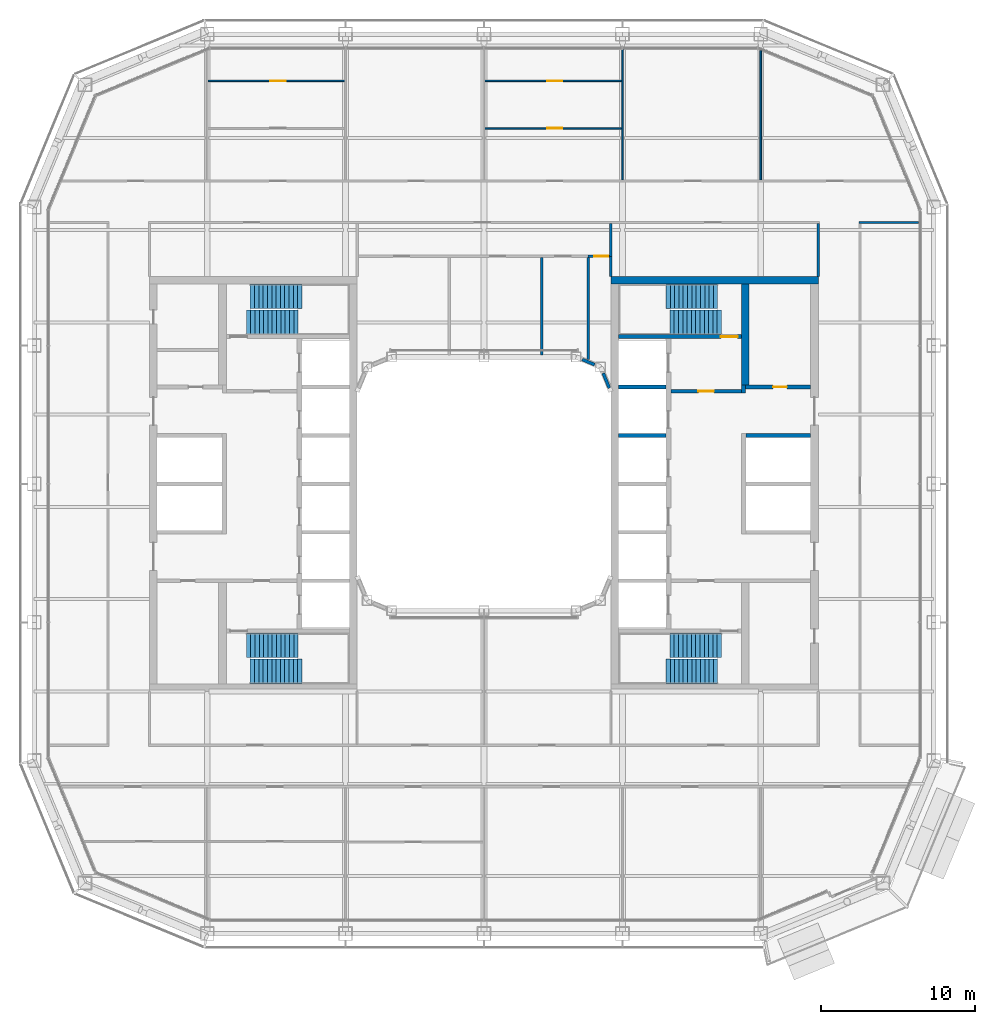
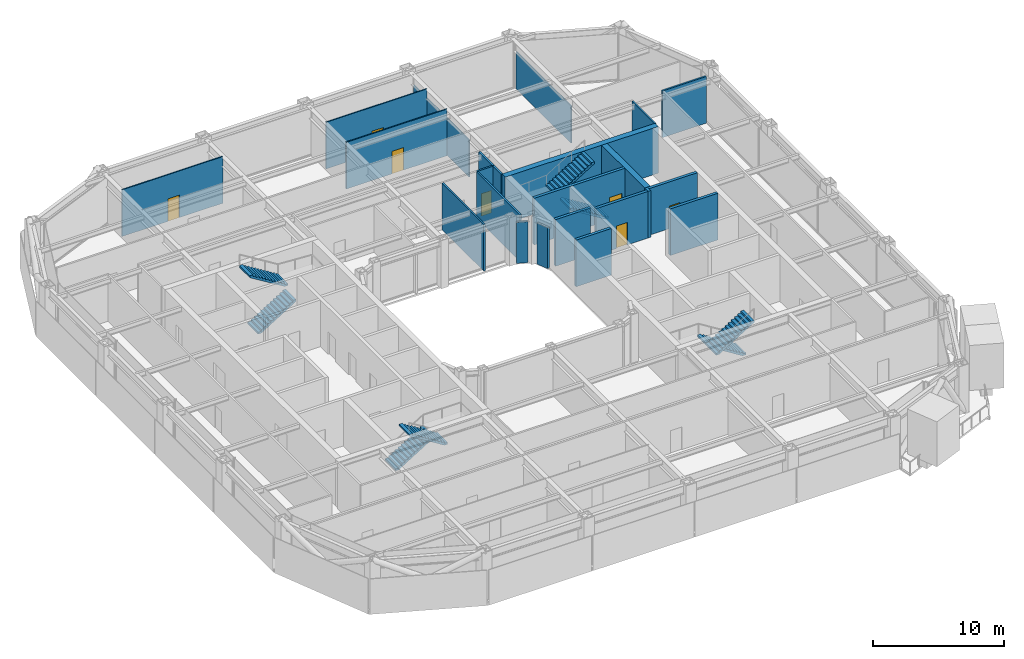
# One storey, part 14 of 23: 23 walls, 8 stair flights, 7 doors, 7 openings, 4 elements without a shape of their own.
"""IFC4 building model written with IfcOpenShell, lengths in metres."""

from ifc_helpers import new_model, si_unit, direction, frame, frame_2d, origin, place, context, subcontext, project, spatial, polyline, rectangle, outline, extrude, material, layer, layer_set, type_object, element, fill, aggregate, save


model = new_model("IFC4")

# Units and contexts
model_context = context("Model", 3, precision=1e-05, world=origin(), true_north=direction((0.0, 1.0)))
body_context = subcontext(model_context, "Body", "Model", "MODEL_VIEW")
ifc_project = project(units=[si_unit("LENGTHUNIT", "METRE"), si_unit("AREAUNIT", "SQUARE_METRE"), si_unit("VOLUMEUNIT", "CUBIC_METRE"), si_unit("PLANEANGLEUNIT", "RADIAN"), si_unit("MASSUNIT", "GRAM", prefix="KILO")], contexts=[model_context])

# Site, building, storey
site_placement = place(None, origin())
site = spatial("IfcSite", under=ifc_project, at=site_placement, CompositionType="ELEMENT")
building_placement = place(site_placement, origin())
building = spatial("IfcBuilding", under=site, at=building_placement, Name="Siwar Civic Tower", CompositionType="ELEMENT")
storey_placement = place(building_placement, frame((0.0, 0.0, 145.199951171875)))
storey = spatial("IfcBuildingStorey", under=building, at=storey_placement, Name="L31", CompositionType="ELEMENT", Elevation=145.199951171875)

# Wall, opening, door
ifc_material_1 = material(Name="Gypsum board on steel studs", Category="steel")
ifc_layer_1 = layer(ifc_material_1, 0.14990234375)
ifc_layer_set_1 = layer_set([ifc_layer_1], Name="Gypsum board on steel studs")
wall_type_1 = type_object("IfcWallType", Name="COMPARTMENT PARTITION 150 EI 60", PredefinedType="PARTITIONING", material=ifc_layer_set_1)
wall_1_placement = place(storey_placement, frame((6.780029296875, 14.800048828125, 0.0), z_axis=(0.0, 0.0, 1.0), x_axis=(1.0, 0.0, 0.0)))
wall_1 = element("IfcWall", 1, at=wall_1_placement, inside=storey, type_object=wall_type_1, Name="L31/wall/P08", PredefinedType="PARTITIONING", context=body_context, shape_type="SweptSolid", body=[
    extrude(rectangle(XDim=1.39501953125, YDim=0.14990234375, at=frame_2d((0.697509765625, 0.0))), origin(), (0.0, 0.0, 1.0), 4.35009765625),
])
opening_1_placement = place(wall_1_placement, frame((0.39990234375, 0.0, 0.0)))
opening_1 = element("IfcOpeningElement", 2, at=opening_1_placement, cuts=wall_1, Name="Opening D4", PredefinedType="OPENING", context=body_context, shape_type="SweptSolid", body=[
    extrude(rectangle(XDim=0.89990234375, YDim=2.10009765625, at=frame_2d((0.449951171875, 1.050048828125))), frame((0.0, 0.0849609375, 0.0), z_axis=(0.0, -1.0, 0.0), x_axis=(1.0, 0.0, 0.0)), (0.0, 0.0, 1.0), 0.169921875),
])
ifc_material_2 = material(Name="Timber, painted", Category="wood")
door_type_1 = type_object("IfcDoorType", Name="DOOR 900 X 2100 FD60", OperationType="SINGLE_SWING_LEFT", PredefinedType="DOOR", material=ifc_material_2)
door_1_placement = place(opening_1_placement, origin())
door_1 = element("IfcDoor", 3, at=door_1_placement, inside=storey, type_object=door_type_1, Name="L31-D24", OperationType="SINGLE_SWING_RIGHT", OverallHeight=2.10009765625, OverallWidth=0.89990234375, PredefinedType="DOOR", context=body_context, shape_type="SweptSolid", body=[
    extrude(rectangle(XDim=0.89990234375, YDim=2.10009765625, at=frame_2d((0.449951171875, 1.050048828125))), frame((0.0, 0.02490234375, 0.0), z_axis=(0.0, -1.0, 0.0), x_axis=(1.0, 0.0, 0.0)), (0.0, 0.0, 1.0), 0.050048828125),
])
fill(opening_1, door_1)

# Walls
wall_2_placement = place(storey_placement, frame((6.780029296875, 8.0869140625, 0.0), z_axis=(0.0, 0.0, 1.0), x_axis=(0.0, 1.0, 0.0)))
element("IfcWall", 4, at=wall_2_placement, inside=storey, type_object=wall_type_1, Name="L31/wall/P32", PredefinedType="PARTITIONING", context=body_context, shape_type="SweptSolid", body=[
    extrude(rectangle(XDim=6.63818359375, YDim=0.14990234375, at=frame_2d((3.319091796875, 0.0))), origin(), (0.0, 0.0, 1.0), 4.35009765625),
])
wall_3_placement = place(storey_placement, frame((8.25, 13.5, 0.0), z_axis=(0.0, 0.0, 1.0), x_axis=(0.0, 1.0, 0.0)))
element("IfcWall", 5, at=wall_3_placement, inside=storey, type_object=wall_type_1, Name="L31/wall/P35", PredefinedType="PARTITIONING", context=body_context, shape_type="SweptSolid", body=[
    extrude(rectangle(XDim=1.300048828125, YDim=0.14990234375, at=frame_2d((0.64990234375, 0.0))), origin(), (0.0, 0.0, 1.0), 4.35009765625),
])

# Wall, opening, door
ifc_material_3 = material(Name="Concrete C60/75", Category="concrete")
ifc_layer_2 = layer(ifc_material_3, 0.25)
ifc_layer_set_2 = layer_set([ifc_layer_2], Name="Concrete C60/75")
wall_type_2 = type_object("IfcWallType", Name="CORE-WALL-RC250", PredefinedType="SHEAR", material=ifc_layer_set_2)
wall_4_placement = place(storey_placement, frame((12.14990234375, 6.02490234375, 0.0), z_axis=(0.0, 0.0, 1.0), x_axis=(1.0, 0.0, 0.0)))
wall_4 = element("IfcWall", 6, at=wall_4_placement, inside=storey, type_object=wall_type_2, Name="Core wall E", PredefinedType="SHEAR", context=body_context, shape_type="SweptSolid", body=[
    extrude(rectangle(XDim=4.60009765625, YDim=0.25, at=frame_2d((2.300048828125, 0.0))), origin(), (0.0, 0.0, 1.0), 4.35009765625),
])
opening_2_placement = place(wall_4_placement, frame((1.800048828125, 0.0, 0.0)))
opening_2 = element("IfcOpeningElement", 7, at=opening_2_placement, cuts=wall_4, Name="Opening L31-CE01", PredefinedType="OPENING", context=body_context, shape_type="SweptSolid", body=[
    extrude(rectangle(XDim=1.0, YDim=2.10009765625, at=frame_2d((0.5, 1.050048828125))), frame((0.0, 0.135009765625, 0.0), z_axis=(0.0, -1.0, 0.0), x_axis=(1.0, 0.0, 0.0)), (0.0, 0.0, 1.0), 0.27001953125),
])
ifc_material_4 = material(Name="Steel door leaf", Category="steel")
door_type_2 = type_object("IfcDoorType", Name="CORE-DOOR-FD30S", OperationType="SINGLE_SWING_LEFT", PredefinedType="DOOR", material=ifc_material_4)
door_2_placement = place(opening_2_placement, origin())
door_2 = element("IfcDoor", 8, at=door_2_placement, inside=storey, type_object=door_type_2, Name="Firefighting lobby door L31-CE01", OperationType="SINGLE_SWING_RIGHT", OverallHeight=2.10009765625, OverallWidth=1.0, PredefinedType="DOOR", context=body_context, shape_type="SweptSolid", body=[
    extrude(rectangle(XDim=1.0, YDim=2.10009765625, at=frame_2d((0.5, 1.050048828125))), frame((0.0, 0.02490234375, 0.0), z_axis=(0.0, -1.0, 0.0), x_axis=(1.0, 0.0, 0.0)), (0.0, 0.0, 1.0), 0.050048828125),
])
fill(opening_2, door_2)

# Wall
wall_5_placement = place(storey_placement, frame((16.875, 5.89990234375, 0.0), z_axis=(0.0, 0.0, 1.0), x_axis=(0.0, 1.0, 0.0)))
element("IfcWall", 9, at=wall_5_placement, inside=storey, type_object=wall_type_2, Name="Core wall E", PredefinedType="SHEAR", context=body_context, shape_type="SweptSolid", body=[
    extrude(rectangle(XDim=0.525146484375, YDim=0.25, at=frame_2d((0.2626953125, 0.0))), origin(), (0.0, 0.0, 1.0), 4.35009765625),
])

# Wall, opening, door
wall_6_placement = place(storey_placement, frame((17.0, 6.300048828125, 0.0), z_axis=(0.0, 0.0, 1.0), x_axis=(1.0, 0.0, 0.0)))
wall_6 = element("IfcWall", 10, at=wall_6_placement, inside=storey, type_object=wall_type_2, Name="Core wall E", PredefinedType="SHEAR", context=body_context, shape_type="SweptSolid", body=[
    extrude(rectangle(XDim=4.25, YDim=0.25, at=frame_2d((2.125, 0.0))), origin(), (0.0, 0.0, 1.0), 4.35009765625),
])
opening_3_placement = place(wall_6_placement, frame((1.800048828125, 0.0, 0.0)))
opening_3 = element("IfcOpeningElement", 11, at=opening_3_placement, cuts=wall_6, Name="Opening L31-CE13", PredefinedType="OPENING", context=body_context, shape_type="SweptSolid", body=[
    extrude(rectangle(XDim=0.89990234375, YDim=2.10009765625, at=frame_2d((0.449951171875, 1.050048828125))), frame((0.0, 0.135009765625, 0.0), z_axis=(0.0, -1.0, 0.0), x_axis=(1.0, 0.0, 0.0)), (0.0, 0.0, 1.0), 0.27001953125),
])
ifc_material_5 = material(Name="Steel door leaf", Category="steel")
door_type_3 = type_object("IfcDoorType", Name="CORE-DOOR-ROOM", OperationType="SINGLE_SWING_LEFT", PredefinedType="DOOR", material=ifc_material_5)
door_3_placement = place(opening_3_placement, origin())
door_3 = element("IfcDoor", 12, at=door_3_placement, inside=storey, type_object=door_type_3, Name="Core room door L31-CE13", OperationType="SINGLE_SWING_RIGHT", OverallHeight=2.10009765625, OverallWidth=0.89990234375, PredefinedType="DOOR", context=body_context, shape_type="SweptSolid", body=[
    extrude(rectangle(XDim=0.89990234375, YDim=2.10009765625, at=frame_2d((0.449951171875, 1.050048828125))), frame((0.0, 0.02490234375, 0.0), z_axis=(0.0, -1.0, 0.0), x_axis=(1.0, 0.0, 0.0)), (0.0, 0.0, 1.0), 0.050048828125),
])
fill(opening_3, door_3)

# Walls
wall_7_placement = place(storey_placement, frame((17.050048828125, 3.14990234375, 0.0), z_axis=(0.0, 0.0, 1.0), x_axis=(1.0, 0.0, 0.0)))
element("IfcWall", 13, at=wall_7_placement, inside=storey, type_object=wall_type_2, Name="Core wall E", PredefinedType="SHEAR", context=body_context, shape_type="SweptSolid", body=[
    extrude(rectangle(XDim=4.199951171875, YDim=0.25, at=frame_2d((2.10009765625, 0.0))), origin(), (0.0, 0.0, 1.0), 4.35009765625),
])
for number, where, z_axis, x_axis, name in (
    (14, (8.75, 3.14990234375, 0.0), (0.0, 0.0, 1.0), (1.0, 0.0, 0.0), "Core wall E"),
    (15, (8.75, 6.300048828125, 0.0), (0.0, 0.0, 1.0), (1.0, 0.0, 0.0), "Core wall E"),
):
    element("IfcWall", number, at=place(storey_placement, frame(where, z_axis=z_axis, x_axis=x_axis)), inside=storey, type_object=wall_type_2, Name=name, PredefinedType="SHEAR", context=body_context, shape_type="SweptSolid", body=[
        extrude(rectangle(XDim=3.10009765625, YDim=0.25, at=frame_2d((1.550048828125, 0.0))), origin(), (0.0, 0.0, 1.0), 4.35009765625),
    ])

# Wall, opening, door
wall_8_placement = place(storey_placement, frame((8.75, 9.574951171875, 0.0), z_axis=(0.0, 0.0, 1.0), x_axis=(1.0, 0.0, 0.0)))
wall_8 = element("IfcWall", 16, at=wall_8_placement, inside=storey, type_object=wall_type_2, Name="Core wall E", PredefinedType="SHEAR", context=body_context, shape_type="SweptSolid", body=[
    extrude(rectangle(XDim=8.0, YDim=0.25, at=frame_2d((4.0, 0.0))), origin(), (0.0, 0.0, 1.0), 4.35009765625),
])
opening_4_placement = place(wall_8_placement, frame((6.64990234375, 0.0, 0.0)))
opening_4 = element("IfcOpeningElement", 17, at=opening_4_placement, cuts=wall_8, Name="Opening L31-CE03", PredefinedType="OPENING", context=body_context, shape_type="SweptSolid", body=[
    extrude(rectangle(XDim=1.10009765625, YDim=2.10009765625, at=frame_2d((0.550048828125, 1.050048828125))), frame((0.0, 0.135009765625, 0.0), z_axis=(0.0, -1.0, 0.0), x_axis=(1.0, 0.0, 0.0)), (0.0, 0.0, 1.0), 0.27001953125),
])
ifc_material_6 = material(Name="Steel door leaf", Category="steel")
door_type_4 = type_object("IfcDoorType", Name="CORE-DOOR-FD60S", OperationType="SINGLE_SWING_LEFT", PredefinedType="DOOR", material=ifc_material_6)
door_4_placement = place(opening_4_placement, origin())
door_4 = element("IfcDoor", 18, at=door_4_placement, inside=storey, type_object=door_type_4, Name="Stair door L31-CE03", OperationType="SINGLE_SWING_LEFT", OverallHeight=2.10009765625, OverallWidth=1.10009765625, PredefinedType="DOOR", context=body_context, shape_type="SweptSolid", body=[
    extrude(rectangle(XDim=1.10009765625, YDim=2.10009765625, at=frame_2d((0.550048828125, 1.050048828125))), frame((0.0, 0.02490234375, 0.0), z_axis=(0.0, -1.0, 0.0), x_axis=(1.0, 0.0, 0.0)), (0.0, 0.0, 1.0), 0.050048828125),
])
fill(opening_4, door_4)

# Walls
ifc_material_7 = material(Name="Concrete C60/75", Category="concrete")
ifc_layer_3 = layer(ifc_material_7, 0.5)
ifc_layer_set_3 = layer_set([ifc_layer_3], Name="Concrete C60/75")
wall_type_3 = type_object("IfcWallType", Name="CORE-WALL-RC500", PredefinedType="SHEAR", material=ifc_layer_set_3)
wall_9_placement = place(storey_placement, frame((17.0, 6.425048828125, 0.0), z_axis=(0.0, 0.0, 1.0), x_axis=(0.0, 1.0, 0.0)))
element("IfcWall", 19, at=wall_9_placement, inside=storey, type_object=wall_type_3, Name="Core wall E", PredefinedType="SHEAR", context=body_context, shape_type="SweptSolid", body=[
    extrude(rectangle(XDim=6.574951171875, YDim=0.5, at=frame_2d((3.28759765625, 0.0))), origin(), (0.0, 0.0, 1.0), 4.35009765625),
])
wall_10_placement = place(storey_placement, frame((8.25, 13.25, 0.0), z_axis=(0.0, 0.0, 1.0), x_axis=(1.0, 0.0, 0.0)))
element("IfcWall", 20, at=wall_10_placement, inside=storey, type_object=wall_type_3, Name="Core wall E", PredefinedType="SHEAR", context=body_context, shape_type="SweptSolid", body=[
    extrude(rectangle(XDim=13.5, YDim=0.5, at=frame_2d((6.75, 0.0))), origin(), (0.0, 0.0, 1.0), 4.35009765625),
])
ifc_material_8 = material(Name="Gypsum board on steel studs", Category="steel")
ifc_layer_4 = layer(ifc_material_8, 0.14990234375)
ifc_layer_set_4 = layer_set([ifc_layer_4], Name="Gypsum board on steel studs")
wall_type_4 = type_object("IfcWallType", Name="CORRIDOR PARTITION 150 EI 30", PredefinedType="PARTITIONING", material=ifc_layer_set_4)
wall_11_placement = place(storey_placement, frame((24.375, 17.0, 0.0), z_axis=(0.0, 0.0, 1.0), x_axis=(1.0, 0.0, 0.0)))
element("IfcWall", 21, at=wall_11_placement, inside=storey, type_object=wall_type_4, Name="L31/wall/P11", PredefinedType="PARTITIONING", context=body_context, shape_type="SweptSolid", body=[
    extrude(rectangle(XDim=3.885009765625, YDim=0.14990234375, at=frame_2d((1.9423828125, 0.0))), origin(), (0.0, 0.0, 1.0), 4.35009765625),
])
wall_12_placement = place(storey_placement, frame((3.75, 8.3701171875, 0.0), z_axis=(0.0, 0.0, 1.0), x_axis=(0.0, 1.0, 0.0)))
element("IfcWall", 22, at=wall_12_placement, inside=storey, type_object=wall_type_4, Name="L31/wall/P31", PredefinedType="PARTITIONING", context=body_context, shape_type="SweptSolid", body=[
    extrude(rectangle(XDim=6.35498046875, YDim=0.14990234375, at=frame_2d((3.177490234375, 0.0))), origin(), (0.0, 0.0, 1.0), 4.35009765625),
])
wall_13_placement = place(storey_placement, frame((8.25, 14.800048828125, 0.0), z_axis=(0.0, 0.0, 1.0), x_axis=(0.0, 1.0, 0.0)))
element("IfcWall", 23, at=wall_13_placement, inside=storey, type_object=wall_type_4, Name="L31/wall/P34", PredefinedType="PARTITIONING", context=body_context, shape_type="SweptSolid", body=[
    extrude(rectangle(XDim=2.125, YDim=0.14990234375, at=frame_2d((1.0625, 0.0))), origin(), (0.0, 0.0, 1.0), 4.35009765625),
])
wall_14_placement = place(storey_placement, frame((21.75, 13.5, 0.0), z_axis=(0.0, 0.0, 1.0), x_axis=(0.0, 1.0, 0.0)))
element("IfcWall", 24, at=wall_14_placement, inside=storey, type_object=wall_type_4, Name="L31/wall/P41", PredefinedType="PARTITIONING", context=body_context, shape_type="SweptSolid", body=[
    extrude(rectangle(XDim=3.425048828125, YDim=0.14990234375, at=frame_2d((1.71240234375, 0.0))), origin(), (0.0, 0.0, 1.0), 4.35009765625),
])
ifc_material_9 = material(Name="Aluminium clad insulated panel", Category="aluminium")
ifc_layer_5 = layer(ifc_material_9, 0.199951171875)
ifc_layer_set_5 = layer_set([ifc_layer_5], Name="Aluminium clad insulated panel")
wall_type_5 = type_object("IfcWallType", Name="ENV-WALL-WELL", PredefinedType="STANDARD", material=ifc_layer_set_5)
wall_15_placement = place(storey_placement, frame((8.154296875, 6.23095703125, 0.0), z_axis=(0.0, 0.0, 1.0), x_axis=(-0.382694858887, 0.923874799408, 0.0)))
element("IfcWall", 25, at=wall_15_placement, inside=storey, type_object=wall_type_5, Name="Light well corner wall NE1", PredefinedType="STANDARD", context=body_context, shape_type="SweptSolid", body=[
    extrude(rectangle(XDim=1.047607421875, YDim=0.199951171875, at=frame_2d((0.52392578125, 0.0))), origin(), (0.0, 0.0, 1.0), 3.825927734375),
])
wall_16_placement = place(storey_placement, frame((7.19873046875, 7.75341796875, 0.0), z_axis=(0.0, 0.0, 1.0), x_axis=(-0.923894108428, 0.382648241093, 0.0)))
element("IfcWall", 26, at=wall_16_placement, inside=storey, type_object=wall_type_5, Name="Light well corner wall NE2", PredefinedType="STANDARD", context=body_context, shape_type="SweptSolid", body=[
    extrude(rectangle(XDim=0.872802734375, YDim=0.199951171875, at=frame_2d((0.4365234375, 0.0))), origin(), (0.0, 0.0, 1.0), 3.825927734375),
])

# Wall, opening, door
ifc_material_10 = material(Name="Gypsum board on steel studs", Category="steel")
ifc_layer_6 = layer(ifc_material_10, 0.10009765625)
ifc_layer_set_6 = layer_set([ifc_layer_6], Name="Gypsum board on steel studs")
wall_type_6 = type_object("IfcWallType", Name="PARTITION 100 GYPSUM", PredefinedType="PARTITIONING", material=ifc_layer_set_6)
wall_17_placement = place(storey_placement, frame((0.050048828125, 23.1240234375, 0.0), z_axis=(0.0, 0.0, 1.0), x_axis=(1.0, 0.0, 0.0)))
wall_17 = element("IfcWall", 27, at=wall_17_placement, inside=storey, type_object=wall_type_6, Name="L31/wall/P14", PredefinedType="PARTITIONING", context=body_context, shape_type="SweptSolid", body=[
    extrude(rectangle(XDim=8.89990234375, YDim=0.10009765625, at=frame_2d((4.449951171875, 0.0))), origin(), (0.0, 0.0, 1.0), 4.35009765625),
])
opening_5_placement = place(wall_17_placement, frame((4.050048828125, 0.0, 0.0)))
opening_5 = element("IfcOpeningElement", 28, at=opening_5_placement, cuts=wall_17, Name="Opening D2", PredefinedType="OPENING", context=body_context, shape_type="SweptSolid", body=[
    extrude(rectangle(XDim=1.0, YDim=2.10009765625, at=frame_2d((0.5, 1.050048828125))), frame((0.0, 0.06005859375, 0.0), z_axis=(0.0, -1.0, 0.0), x_axis=(1.0, 0.0, 0.0)), (0.0, 0.0, 1.0), 0.1201171875),
])
ifc_material_11 = material(Name="Timber, painted", Category="wood")
door_type_5 = type_object("IfcDoorType", Name="DOOR 1000 X 2100", OperationType="SINGLE_SWING_LEFT", PredefinedType="DOOR", material=ifc_material_11)
door_5_placement = place(opening_5_placement, origin())
door_5 = element("IfcDoor", 29, at=door_5_placement, inside=storey, type_object=door_type_5, Name="L31-D06", OperationType="SINGLE_SWING_RIGHT", OverallHeight=2.10009765625, OverallWidth=1.0, PredefinedType="DOOR", context=body_context, shape_type="SweptSolid", body=[
    extrude(rectangle(XDim=1.0, YDim=2.10009765625, at=frame_2d((0.5, 1.050048828125))), frame((0.0, 0.02490234375, 0.0), z_axis=(0.0, -1.0, 0.0), x_axis=(1.0, 0.0, 0.0)), (0.0, 0.0, 1.0), 0.050048828125),
])
fill(opening_5, door_5)

wall_18_placement = place(storey_placement, frame((-17.949951171875, 26.2060546875, 0.0), z_axis=(0.0, 0.0, 1.0), x_axis=(1.0, 0.0, 0.0)))
wall_18 = element("IfcWall", 30, at=wall_18_placement, inside=storey, type_object=wall_type_6, Name="L31/wall/P15", PredefinedType="PARTITIONING", context=body_context, shape_type="SweptSolid", body=[
    extrude(rectangle(XDim=8.89990234375, YDim=0.10009765625, at=frame_2d((4.449951171875, 0.0))), origin(), (0.0, 0.0, 1.0), 4.35009765625),
])
opening_6_placement = place(wall_18_placement, frame((4.050048828125, 0.0, 0.0)))
opening_6 = element("IfcOpeningElement", 31, at=opening_6_placement, cuts=wall_18, Name="Opening D2", PredefinedType="OPENING", context=body_context, shape_type="SweptSolid", body=[
    extrude(rectangle(XDim=1.0, YDim=2.10009765625, at=frame_2d((0.5, 1.050048828125))), frame((0.0, 0.06005859375, 0.0), z_axis=(0.0, -1.0, 0.0), x_axis=(1.0, 0.0, 0.0)), (0.0, 0.0, 1.0), 0.1201171875),
])
door_6_placement = place(opening_6_placement, origin())
door_6 = element("IfcDoor", 32, at=door_6_placement, inside=storey, type_object=door_type_5, Name="L31-D03", OperationType="SINGLE_SWING_LEFT", OverallHeight=2.10009765625, OverallWidth=1.0, PredefinedType="DOOR", context=body_context, shape_type="SweptSolid", body=[
    extrude(rectangle(XDim=1.0, YDim=2.10009765625, at=frame_2d((0.5, 1.050048828125))), frame((0.0, 0.02490234375, 0.0), z_axis=(0.0, -1.0, 0.0), x_axis=(1.0, 0.0, 0.0)), (0.0, 0.0, 1.0), 0.050048828125),
])
fill(opening_6, door_6)

wall_19_placement = place(storey_placement, frame((0.050048828125, 26.2060546875, 0.0), z_axis=(0.0, 0.0, 1.0), x_axis=(1.0, 0.0, 0.0)))
wall_19 = element("IfcWall", 33, at=wall_19_placement, inside=storey, type_object=wall_type_6, Name="L31/wall/P16", PredefinedType="PARTITIONING", context=body_context, shape_type="SweptSolid", body=[
    extrude(rectangle(XDim=8.89990234375, YDim=0.10009765625, at=frame_2d((4.449951171875, 0.0))), origin(), (0.0, 0.0, 1.0), 4.35009765625),
])
opening_7_placement = place(wall_19_placement, frame((4.050048828125, 0.0, 0.0)))
opening_7 = element("IfcOpeningElement", 34, at=opening_7_placement, cuts=wall_19, Name="Opening D2", PredefinedType="OPENING", context=body_context, shape_type="SweptSolid", body=[
    extrude(rectangle(XDim=1.0, YDim=2.10009765625, at=frame_2d((0.5, 1.050048828125))), frame((0.0, 0.06005859375, 0.0), z_axis=(0.0, -1.0, 0.0), x_axis=(1.0, 0.0, 0.0)), (0.0, 0.0, 1.0), 0.1201171875),
])
door_7_placement = place(opening_7_placement, origin())
door_7 = element("IfcDoor", 35, at=door_7_placement, inside=storey, type_object=door_type_5, Name="L31-D07", OperationType="SINGLE_SWING_LEFT", OverallHeight=2.10009765625, OverallWidth=1.0, PredefinedType="DOOR", context=body_context, shape_type="SweptSolid", body=[
    extrude(rectangle(XDim=1.0, YDim=2.10009765625, at=frame_2d((0.5, 1.050048828125))), frame((0.0, 0.02490234375, 0.0), z_axis=(0.0, -1.0, 0.0), x_axis=(1.0, 0.0, 0.0)), (0.0, 0.0, 1.0), 0.050048828125),
])
fill(opening_7, door_7)

# Walls
wall_20_placement = place(storey_placement, frame((9.0, 19.77490234375, 0.0), z_axis=(0.0, 0.0, 1.0), x_axis=(0.0, 1.0, 0.0)))
element("IfcWall", 36, at=wall_20_placement, inside=storey, type_object=wall_type_6, Name="L31/wall/P37", PredefinedType="PARTITIONING", context=body_context, shape_type="SweptSolid", body=[
    extrude(rectangle(XDim=8.485107421875, YDim=0.10009765625, at=frame_2d((4.24267578125, 0.0))), origin(), (0.0, 0.0, 1.0), 3.449951171875),
])
wall_21_placement = place(storey_placement, frame((18.0, 19.77490234375, 0.0), z_axis=(0.0, 0.0, 1.0), x_axis=(0.0, 1.0, 0.0)))
element("IfcWall", 37, at=wall_21_placement, inside=storey, type_object=wall_type_6, Name="L31/wall/P39", PredefinedType="PARTITIONING", context=body_context, shape_type="SweptSolid", body=[
    extrude(rectangle(XDim=8.403076171875, YDim=0.10009765625, at=frame_2d((4.20166015625, 0.0))), origin(), (0.0, 0.0, 1.0), 3.449951171875),
])

# Stair, stair flights
ifc_material_12 = material(Name="Concrete C40/50", Category="concrete")
stair_type = type_object("IfcStairType", Name="CORE-STAIR", PredefinedType="TWO_STRAIGHT_RUN_STAIR", material=ifc_material_12)
stair_1_placement = place(storey_placement, origin())
stair_1 = element("IfcStair", 38, at=stair_1_placement, inside=storey, type_object=stair_type, Name="Exit stair ST1", PredefinedType="TWO_STRAIGHT_RUN_STAIR")
ifc_material_13 = material(Name="Concrete C40/50", Category="concrete")
stair_flight_type = type_object("IfcStairFlightType", Name="CORE-STAIR-FLIGHT", PredefinedType="STRAIGHT", material=ifc_material_13)
stair_flight_1_placement = place(storey_placement, frame((-15.449951171875, 10.5, 0.0), z_axis=(0.0, 0.0, 1.0), x_axis=(1.0, 0.0, 0.0)))
stair_flight_1 = element("IfcStairFlight", 39, at=stair_flight_1_placement, type_object=stair_flight_type, Name="ST1 flight 1", NumberOfRisers=13, NumberOfTreads=12, PredefinedType="STRAIGHT", RiserHeight=0.173076923, TreadLength=0.28, context=body_context, shape_type="SweptSolid", body=[
    extrude(outline(polyline([(0.0, 0.0), (0.0, 0.173095703125), (0.280029296875, 0.173095703125), (0.280029296875, 0.34619140625), (0.56005859375, 0.34619140625), (0.56005859375, 0.519287109375), (0.840087890625, 0.519287109375), (0.840087890625, 0.6923828125), (1.1201171875, 0.6923828125), (1.1201171875, 0.865478515625), (1.39990234375, 0.865478515625), (1.39990234375, 1.03857421875), (1.679931640625, 1.03857421875), (1.679931640625, 1.21142578125), (1.9599609375, 1.21142578125), (1.9599609375, 1.384521484375), (2.239990234375, 1.384521484375), (2.239990234375, 1.5576171875), (2.52001953125, 1.5576171875), (2.52001953125, 1.730712890625), (2.800048828125, 1.730712890625), (2.800048828125, 1.90380859375), (3.080078125, 1.90380859375), (3.080078125, 2.076904296875), (3.360107421875, 2.076904296875), (3.360107421875, 2.25), (3.360107421875, 1.900634765625), (0.28515625, 0.0), (0.0, 0.0)])), frame((0.0, 0.800048828125, 0.0), z_axis=(0.0, -1.0, 0.0), x_axis=(1.0, 0.0, 0.0)), (0.0, 0.0, 1.0), 1.60009765625),
])
stair_flight_2_placement = place(storey_placement, frame((-11.840087890625, 12.199951171875, 2.25), z_axis=(0.0, 0.0, 1.0), x_axis=(-1.0, 0.0, 0.0)))
stair_flight_2 = element("IfcStairFlight", 40, at=stair_flight_2_placement, type_object=stair_flight_type, Name="ST1 flight 2", NumberOfRisers=13, NumberOfTreads=12, PredefinedType="STRAIGHT", RiserHeight=0.173076923, TreadLength=0.28, context=body_context, shape_type="SweptSolid", body=[
    extrude(outline(polyline([(0.0, 0.0), (0.0, 0.173095703125), (0.280029296875, 0.173095703125), (0.280029296875, 0.34619140625), (0.56005859375, 0.34619140625), (0.56005859375, 0.519287109375), (0.840087890625, 0.519287109375), (0.840087890625, 0.6923828125), (1.1201171875, 0.6923828125), (1.1201171875, 0.865478515625), (1.39990234375, 0.865478515625), (1.39990234375, 1.03857421875), (1.679931640625, 1.03857421875), (1.679931640625, 1.21142578125), (1.9599609375, 1.21142578125), (1.9599609375, 1.384521484375), (2.239990234375, 1.384521484375), (2.239990234375, 1.5576171875), (2.52001953125, 1.5576171875), (2.52001953125, 1.730712890625), (2.800048828125, 1.730712890625), (2.800048828125, 1.90380859375), (3.080078125, 1.90380859375), (3.080078125, 2.076904296875), (3.360107421875, 2.076904296875), (3.360107421875, 2.25), (3.360107421875, 1.900634765625), (0.28515625, 0.0), (0.0, 0.0)])), frame((0.0, 0.800048828125, 0.0), z_axis=(0.0, -1.0, 0.0), x_axis=(1.0, 0.0, 0.0)), (0.0, 0.0, 1.0), 1.60009765625),
])
aggregate(stair_1, [stair_flight_1, stair_flight_2])

stair_2_placement = place(storey_placement, origin())
stair_2 = element("IfcStair", 41, at=stair_2_placement, inside=storey, type_object=stair_type, Name="Exit stair ST2", PredefinedType="TWO_STRAIGHT_RUN_STAIR")
stair_flight_3_placement = place(storey_placement, frame((-15.449951171875, -10.5, 0.0), z_axis=(0.0, 0.0, 1.0), x_axis=(1.0, 0.0, 0.0)))
stair_flight_3 = element("IfcStairFlight", 42, at=stair_flight_3_placement, type_object=stair_flight_type, Name="ST2 flight 1", NumberOfRisers=13, NumberOfTreads=12, PredefinedType="STRAIGHT", RiserHeight=0.173076923, TreadLength=0.28, context=body_context, shape_type="SweptSolid", body=[
    extrude(outline(polyline([(0.0, 0.0), (0.0, 0.173095703125), (0.280029296875, 0.173095703125), (0.280029296875, 0.34619140625), (0.56005859375, 0.34619140625), (0.56005859375, 0.519287109375), (0.840087890625, 0.519287109375), (0.840087890625, 0.6923828125), (1.1201171875, 0.6923828125), (1.1201171875, 0.865478515625), (1.39990234375, 0.865478515625), (1.39990234375, 1.03857421875), (1.679931640625, 1.03857421875), (1.679931640625, 1.21142578125), (1.9599609375, 1.21142578125), (1.9599609375, 1.384521484375), (2.239990234375, 1.384521484375), (2.239990234375, 1.5576171875), (2.52001953125, 1.5576171875), (2.52001953125, 1.730712890625), (2.800048828125, 1.730712890625), (2.800048828125, 1.90380859375), (3.080078125, 1.90380859375), (3.080078125, 2.076904296875), (3.360107421875, 2.076904296875), (3.360107421875, 2.25), (3.360107421875, 1.900634765625), (0.28515625, 0.0), (0.0, 0.0)])), frame((0.0, 0.800048828125, 0.0), z_axis=(0.0, -1.0, 0.0), x_axis=(1.0, 0.0, 0.0)), (0.0, 0.0, 1.0), 1.60009765625),
])
stair_flight_4_placement = place(storey_placement, frame((-11.840087890625, -12.199951171875, 2.25), z_axis=(0.0, 0.0, 1.0), x_axis=(-1.0, 0.0, 0.0)))
stair_flight_4 = element("IfcStairFlight", 43, at=stair_flight_4_placement, type_object=stair_flight_type, Name="ST2 flight 2", NumberOfRisers=13, NumberOfTreads=12, PredefinedType="STRAIGHT", RiserHeight=0.173076923, TreadLength=0.28, context=body_context, shape_type="SweptSolid", body=[
    extrude(outline(polyline([(0.0, 0.0), (0.0, 0.173095703125), (0.280029296875, 0.173095703125), (0.280029296875, 0.34619140625), (0.56005859375, 0.34619140625), (0.56005859375, 0.519287109375), (0.840087890625, 0.519287109375), (0.840087890625, 0.6923828125), (1.1201171875, 0.6923828125), (1.1201171875, 0.865478515625), (1.39990234375, 0.865478515625), (1.39990234375, 1.03857421875), (1.679931640625, 1.03857421875), (1.679931640625, 1.21142578125), (1.9599609375, 1.21142578125), (1.9599609375, 1.384521484375), (2.239990234375, 1.384521484375), (2.239990234375, 1.5576171875), (2.52001953125, 1.5576171875), (2.52001953125, 1.730712890625), (2.800048828125, 1.730712890625), (2.800048828125, 1.90380859375), (3.080078125, 1.90380859375), (3.080078125, 2.076904296875), (3.360107421875, 2.076904296875), (3.360107421875, 2.25), (3.360107421875, 1.900634765625), (0.28515625, 0.0), (0.0, 0.0)])), frame((0.0, 0.800048828125, 0.0), z_axis=(0.0, -1.0, 0.0), x_axis=(1.0, 0.0, 0.0)), (0.0, 0.0, 1.0), 1.60009765625),
])
aggregate(stair_2, [stair_flight_3, stair_flight_4])

stair_3_placement = place(storey_placement, origin())
stair_3 = element("IfcStair", 44, at=stair_3_placement, inside=storey, type_object=stair_type, Name="Exit stair ST3", PredefinedType="TWO_STRAIGHT_RUN_STAIR")
stair_flight_5_placement = place(storey_placement, frame((15.449951171875, 10.5, 0.0), z_axis=(0.0, 0.0, 1.0), x_axis=(-1.0, 0.0, 0.0)))
stair_flight_5 = element("IfcStairFlight", 45, at=stair_flight_5_placement, type_object=stair_flight_type, Name="ST3 flight 1", NumberOfRisers=13, NumberOfTreads=12, PredefinedType="STRAIGHT", RiserHeight=0.173076923, TreadLength=0.28, context=body_context, shape_type="SweptSolid", body=[
    extrude(outline(polyline([(0.0, 0.0), (0.0, 0.173095703125), (0.280029296875, 0.173095703125), (0.280029296875, 0.34619140625), (0.56005859375, 0.34619140625), (0.56005859375, 0.519287109375), (0.840087890625, 0.519287109375), (0.840087890625, 0.6923828125), (1.1201171875, 0.6923828125), (1.1201171875, 0.865478515625), (1.39990234375, 0.865478515625), (1.39990234375, 1.03857421875), (1.679931640625, 1.03857421875), (1.679931640625, 1.21142578125), (1.9599609375, 1.21142578125), (1.9599609375, 1.384521484375), (2.239990234375, 1.384521484375), (2.239990234375, 1.5576171875), (2.52001953125, 1.5576171875), (2.52001953125, 1.730712890625), (2.800048828125, 1.730712890625), (2.800048828125, 1.90380859375), (3.080078125, 1.90380859375), (3.080078125, 2.076904296875), (3.360107421875, 2.076904296875), (3.360107421875, 2.25), (3.360107421875, 1.900634765625), (0.28515625, 0.0), (0.0, 0.0)])), frame((0.0, 0.800048828125, 0.0), z_axis=(0.0, -1.0, 0.0), x_axis=(1.0, 0.0, 0.0)), (0.0, 0.0, 1.0), 1.60009765625),
])
stair_flight_6_placement = place(storey_placement, frame((11.840087890625, 12.199951171875, 2.25), z_axis=(0.0, 0.0, 1.0), x_axis=(1.0, 0.0, 0.0)))
stair_flight_6 = element("IfcStairFlight", 46, at=stair_flight_6_placement, type_object=stair_flight_type, Name="ST3 flight 2", NumberOfRisers=13, NumberOfTreads=12, PredefinedType="STRAIGHT", RiserHeight=0.173076923, TreadLength=0.28, context=body_context, shape_type="SweptSolid", body=[
    extrude(outline(polyline([(0.0, 0.0), (0.0, 0.173095703125), (0.280029296875, 0.173095703125), (0.280029296875, 0.34619140625), (0.56005859375, 0.34619140625), (0.56005859375, 0.519287109375), (0.840087890625, 0.519287109375), (0.840087890625, 0.6923828125), (1.1201171875, 0.6923828125), (1.1201171875, 0.865478515625), (1.39990234375, 0.865478515625), (1.39990234375, 1.03857421875), (1.679931640625, 1.03857421875), (1.679931640625, 1.21142578125), (1.9599609375, 1.21142578125), (1.9599609375, 1.384521484375), (2.239990234375, 1.384521484375), (2.239990234375, 1.5576171875), (2.52001953125, 1.5576171875), (2.52001953125, 1.730712890625), (2.800048828125, 1.730712890625), (2.800048828125, 1.90380859375), (3.080078125, 1.90380859375), (3.080078125, 2.076904296875), (3.360107421875, 2.076904296875), (3.360107421875, 2.25), (3.360107421875, 1.900634765625), (0.28515625, 0.0), (0.0, 0.0)])), frame((0.0, 0.800048828125, 0.0), z_axis=(0.0, -1.0, 0.0), x_axis=(1.0, 0.0, 0.0)), (0.0, 0.0, 1.0), 1.60009765625),
])
aggregate(stair_3, [stair_flight_5, stair_flight_6])

stair_4_placement = place(storey_placement, origin())
stair_4 = element("IfcStair", 47, at=stair_4_placement, inside=storey, type_object=stair_type, Name="Exit stair ST4", PredefinedType="TWO_STRAIGHT_RUN_STAIR")
stair_flight_7_placement = place(storey_placement, frame((15.449951171875, -10.5, 0.0), z_axis=(0.0, 0.0, 1.0), x_axis=(-1.0, 0.0, 0.0)))
stair_flight_7 = element("IfcStairFlight", 48, at=stair_flight_7_placement, type_object=stair_flight_type, Name="ST4 flight 1", NumberOfRisers=13, NumberOfTreads=12, PredefinedType="STRAIGHT", RiserHeight=0.173076923, TreadLength=0.28, context=body_context, shape_type="SweptSolid", body=[
    extrude(outline(polyline([(0.0, 0.0), (0.0, 0.173095703125), (0.280029296875, 0.173095703125), (0.280029296875, 0.34619140625), (0.56005859375, 0.34619140625), (0.56005859375, 0.519287109375), (0.840087890625, 0.519287109375), (0.840087890625, 0.6923828125), (1.1201171875, 0.6923828125), (1.1201171875, 0.865478515625), (1.39990234375, 0.865478515625), (1.39990234375, 1.03857421875), (1.679931640625, 1.03857421875), (1.679931640625, 1.21142578125), (1.9599609375, 1.21142578125), (1.9599609375, 1.384521484375), (2.239990234375, 1.384521484375), (2.239990234375, 1.5576171875), (2.52001953125, 1.5576171875), (2.52001953125, 1.730712890625), (2.800048828125, 1.730712890625), (2.800048828125, 1.90380859375), (3.080078125, 1.90380859375), (3.080078125, 2.076904296875), (3.360107421875, 2.076904296875), (3.360107421875, 2.25), (3.360107421875, 1.900634765625), (0.28515625, 0.0), (0.0, 0.0)])), frame((0.0, 0.800048828125, 0.0), z_axis=(0.0, -1.0, 0.0), x_axis=(1.0, 0.0, 0.0)), (0.0, 0.0, 1.0), 1.60009765625),
])
stair_flight_8_placement = place(storey_placement, frame((11.840087890625, -12.199951171875, 2.25), z_axis=(0.0, 0.0, 1.0), x_axis=(1.0, 0.0, 0.0)))
stair_flight_8 = element("IfcStairFlight", 49, at=stair_flight_8_placement, type_object=stair_flight_type, Name="ST4 flight 2", NumberOfRisers=13, NumberOfTreads=12, PredefinedType="STRAIGHT", RiserHeight=0.173076923, TreadLength=0.28, context=body_context, shape_type="SweptSolid", body=[
    extrude(outline(polyline([(0.0, 0.0), (0.0, 0.173095703125), (0.280029296875, 0.173095703125), (0.280029296875, 0.34619140625), (0.56005859375, 0.34619140625), (0.56005859375, 0.519287109375), (0.840087890625, 0.519287109375), (0.840087890625, 0.6923828125), (1.1201171875, 0.6923828125), (1.1201171875, 0.865478515625), (1.39990234375, 0.865478515625), (1.39990234375, 1.03857421875), (1.679931640625, 1.03857421875), (1.679931640625, 1.21142578125), (1.9599609375, 1.21142578125), (1.9599609375, 1.384521484375), (2.239990234375, 1.384521484375), (2.239990234375, 1.5576171875), (2.52001953125, 1.5576171875), (2.52001953125, 1.730712890625), (2.800048828125, 1.730712890625), (2.800048828125, 1.90380859375), (3.080078125, 1.90380859375), (3.080078125, 2.076904296875), (3.360107421875, 2.076904296875), (3.360107421875, 2.25), (3.360107421875, 1.900634765625), (0.28515625, 0.0), (0.0, 0.0)])), frame((0.0, 0.800048828125, 0.0), z_axis=(0.0, -1.0, 0.0), x_axis=(1.0, 0.0, 0.0)), (0.0, 0.0, 1.0), 1.60009765625),
])
aggregate(stair_4, [stair_flight_7, stair_flight_8])

save(model, "model.ifc")
